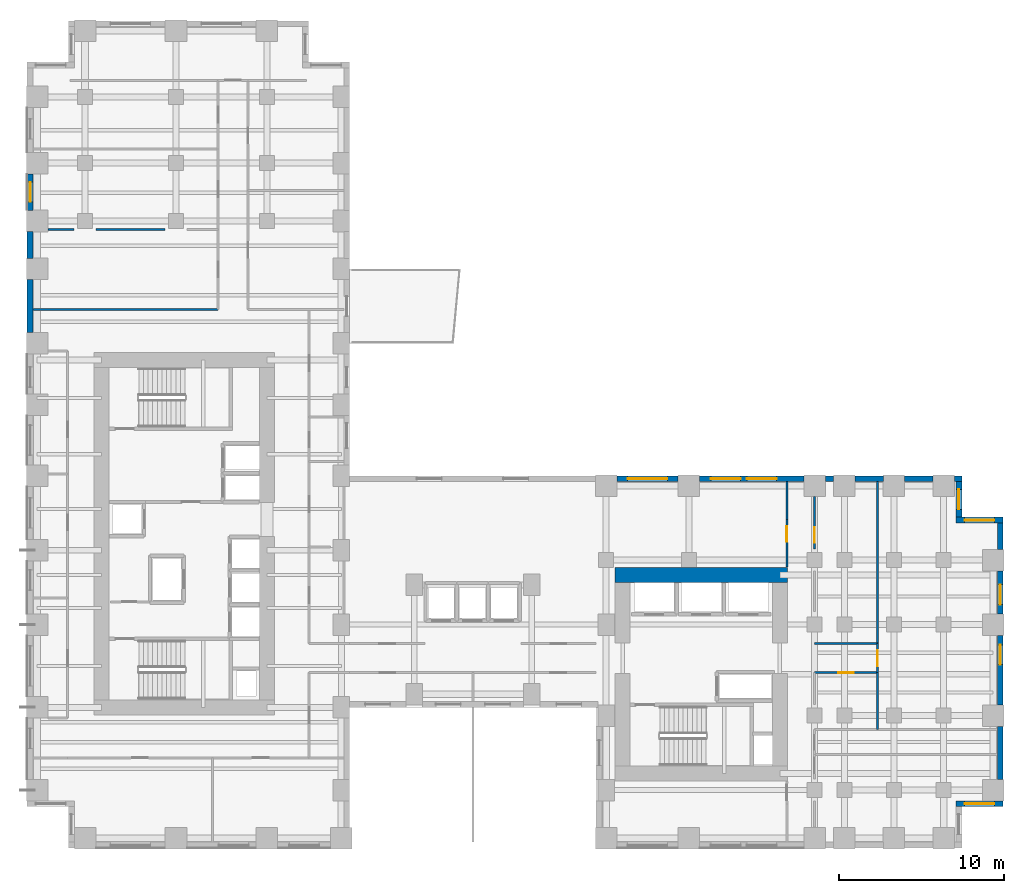
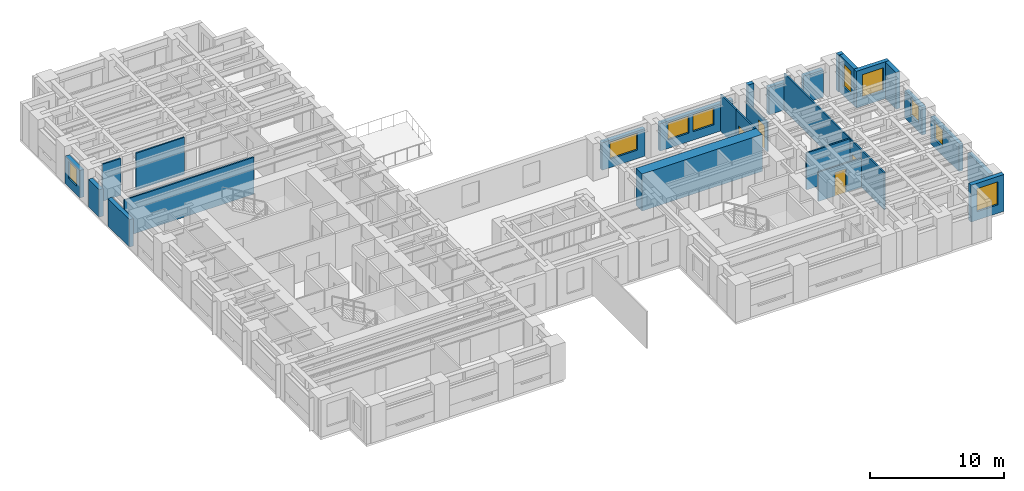
# One storey, part 8 of 12: 28 walls, 9 windows, 4 doors, 13 openings.
"""IFC4 building model written with IfcOpenShell, lengths in metres."""

from ifc_helpers import new_model, si_unit, direction, frame, frame_2d, origin, place, context, subcontext, project, spatial, rectangle, extrude, source, transform, mapped, material, layer, layer_set, type_object, element, fill, save


model = new_model("IFC4")

# Units and contexts
model_context = context("Model", 3, precision=1e-05, world=origin(), true_north=direction((0.0, 1.0)))
body_context = subcontext(model_context, "Body", "Model", "MODEL_VIEW")
ifc_project = project(units=[si_unit("LENGTHUNIT", "METRE"), si_unit("AREAUNIT", "SQUARE_METRE"), si_unit("VOLUMEUNIT", "CUBIC_METRE"), si_unit("PLANEANGLEUNIT", "RADIAN"), si_unit("MASSUNIT", "GRAM", prefix="KILO")], contexts=[model_context])

# Site, building, storey
site_placement = place(None, origin())
site = spatial("IfcSite", under=ifc_project, at=site_placement, CompositionType="ELEMENT")
building_placement = place(site_placement, origin())
building = spatial("IfcBuilding", under=site, at=building_placement, Name="Kharzan Plaza Tower", CompositionType="ELEMENT")
storey_placement = place(building_placement, frame((0.0, 0.0, 26.10009765625)))
storey = spatial("IfcBuildingStorey", under=building, at=storey_placement, Name="L06", CompositionType="ELEMENT", Elevation=26.10009765625)

# Wall, opening, window
ifc_material_1 = material(Name="Concrete C40/50", Category="concrete")
ifc_layer_1 = layer(ifc_material_1, 0.35009765625)
ifc_layer_set_1 = layer_set([ifc_layer_1], Name="Concrete C40/50")
wall_type_1 = type_object("IfcWallType", Name="WL-EXT-MAS-Z1", PredefinedType="SOLIDWALL", material=ifc_layer_set_1)
wall_1_placement = place(storey_placement, frame((0.175048828125, 40.751953125, 0.0), z_axis=(0.0, 0.0, 1.0), x_axis=(0.0, -1.0, 0.0)))
wall_1 = element("IfcWall", 1, at=wall_1_placement, inside=storey, type_object=wall_type_1, Name="L06 Masonry-Frame Exterior Wall 11", PredefinedType="SOLIDWALL", context=body_context, shape_type="SweptSolid", body=[
    extrude(rectangle(XDim=2.203857421875, YDim=0.35009765625, at=frame_2d((1.10205078125, 0.0))), origin(), (0.0, 0.0, 1.0), 2.510009765625),
])
opening_1_placement = place(wall_1_placement, frame((0.501953125, 0.0, 0.780029296875)))
opening_1 = element("IfcOpeningElement", 2, at=opening_1_placement, cuts=wall_1, Name="Opening W3", PredefinedType="OPENING", context=body_context, shape_type="SweptSolid", body=[
    extrude(rectangle(XDim=1.199951171875, YDim=1.550048828125, at=frame_2d((0.60009765625, 0.77490234375))), frame((0.0, 0.18505859375, 0.0), z_axis=(0.0, -1.0, 0.0), x_axis=(1.0, 0.0, 0.0)), (0.0, 0.0, 1.0), 0.3701171875),
])
ifc_material_2 = material(Name="Low-E Double Glazing", Category="glass")
window_type_1 = type_object("IfcWindowType", Name="WN-REC-1200x2100", PartitioningType="SINGLE_PANEL", PredefinedType="WINDOW", material=ifc_material_2)
shared_shape_1 = source(origin(), body_context, "Body", "SweptSolid", [
    extrude(rectangle(XDim=1.199951171875, YDim=1.550048828125, at=frame_2d((0.60009765625, 0.77490234375))), frame((0.0, 0.030029296875, 0.0), z_axis=(0.0, -1.0, 0.0), x_axis=(1.0, 0.0, 0.0)), (0.0, 0.0, 1.0), 0.06005859375),
])
window_1_placement = place(opening_1_placement, origin())
window_1 = element("IfcWindow", 3, at=window_1_placement, inside=storey, type_object=window_type_1, Name="L06 Recessed Solar-Control Window 11-1", OverallHeight=1.550048828125, OverallWidth=1.199951171875, PartitioningType="SINGLE_PANEL", PredefinedType="WINDOW", context=body_context, shape_type="MappedRepresentation", body=[
    mapped(shared_shape_1, transform((0.0, 0.0, 0.0), x_axis=(1.0, 0.0, 0.0), y_axis=(0.0, 1.0, 0.0), z_axis=(0.0, 0.0, 1.0))),
])
fill(opening_1, window_1)

wall_2_placement = place(storey_placement, frame((56.14990234375, 2.675048828125, 0.0), z_axis=(0.0, 0.0, 1.0), x_axis=(1.0, 0.0, 0.0)))
wall_2 = element("IfcWall", 4, at=wall_2_placement, inside=storey, type_object=wall_type_1, Name="L06 Masonry-Frame Exterior Wall 40", PredefinedType="SOLIDWALL", context=body_context, shape_type="SweptSolid", body=[
    extrude(rectangle(XDim=2.85009765625, YDim=0.35009765625, at=frame_2d((1.425048828125, 0.0))), origin(), (0.0, 0.0, 1.0), 3.364990234375),
])
opening_2_placement = place(wall_2_placement, frame((0.52490234375, 0.0, 0.780029296875)))
opening_2 = element("IfcOpeningElement", 5, at=opening_2_placement, cuts=wall_2, Name="Opening W1", PredefinedType="OPENING", context=body_context, shape_type="SweptSolid", body=[
    extrude(rectangle(XDim=1.800048828125, YDim=2.10009765625, at=frame_2d((0.89990234375, 1.050048828125))), frame((0.0, 0.18505859375, 0.0), z_axis=(0.0, -1.0, 0.0), x_axis=(1.0, 0.0, 0.0)), (0.0, 0.0, 1.0), 0.3701171875),
])
window_type_2 = type_object("IfcWindowType", Name="WN-REC-1800x2100", PartitioningType="SINGLE_PANEL", PredefinedType="WINDOW", material=ifc_material_2)
shared_shape_2 = source(origin(), body_context, "Body", "SweptSolid", [
    extrude(rectangle(XDim=1.800048828125, YDim=2.10009765625, at=frame_2d((0.89990234375, 1.050048828125))), frame((0.0, 0.030029296875, 0.0), z_axis=(0.0, -1.0, 0.0), x_axis=(1.0, 0.0, 0.0)), (0.0, 0.0, 1.0), 0.06005859375),
])
window_2_placement = place(opening_2_placement, origin())
window_2 = element("IfcWindow", 6, at=window_2_placement, inside=storey, type_object=window_type_2, Name="L06 Recessed Solar-Control Window 40-1", OverallHeight=2.10009765625, OverallWidth=1.800048828125, PartitioningType="SINGLE_PANEL", PredefinedType="WINDOW", context=body_context, shape_type="MappedRepresentation", body=[
    mapped(shared_shape_2, transform((0.0, 0.0, 0.0), x_axis=(1.0, 0.0, 0.0), y_axis=(0.0, 1.0, 0.0), z_axis=(0.0, 0.0, 1.0))),
])
fill(opening_2, window_2)

wall_3_placement = place(storey_placement, frame((58.824951171875, 8.64794921875, 0.0), z_axis=(0.0, 0.0, 1.0), x_axis=(0.0, 1.0, 0.0)))
wall_3 = element("IfcWall", 7, at=wall_3_placement, inside=storey, type_object=wall_type_1, Name="L06 Masonry-Frame Exterior Wall 42", PredefinedType="SOLIDWALL", context=body_context, shape_type="SweptSolid", body=[
    extrude(rectangle(XDim=4.2041015625, YDim=0.35009765625, at=frame_2d((2.10205078125, 0.0))), origin(), (0.0, 0.0, 1.0), 2.510009765625),
])
opening_3_placement = place(wall_3_placement, frame((2.436767578125, 0.0, 0.780029296875)))
opening_3 = element("IfcOpeningElement", 8, at=opening_3_placement, cuts=wall_3, Name="Opening W3", PredefinedType="OPENING", context=body_context, shape_type="SweptSolid", body=[
    extrude(rectangle(XDim=1.199951171875, YDim=1.550048828125, at=frame_2d((0.60009765625, 0.77490234375))), frame((0.0, 0.18505859375, 0.0), z_axis=(0.0, -1.0, 0.0), x_axis=(1.0, 0.0, 0.0)), (0.0, 0.0, 1.0), 0.3701171875),
])
window_3_placement = place(opening_3_placement, origin())
window_3 = element("IfcWindow", 9, at=window_3_placement, inside=storey, type_object=window_type_1, Name="L06 Recessed Solar-Control Window 42-1", OverallHeight=1.550048828125, OverallWidth=1.199951171875, PartitioningType="SINGLE_PANEL", PredefinedType="WINDOW", context=body_context, shape_type="MappedRepresentation", body=[
    mapped(shared_shape_1, transform((0.0, 0.0, 0.0), x_axis=(1.0, 0.0, 0.0), y_axis=(0.0, 1.0, 0.0), z_axis=(0.0, 0.0, 1.0))),
])
fill(opening_3, window_3)

wall_4_placement = place(storey_placement, frame((58.824951171875, 14.14794921875, 0.0), z_axis=(0.0, 0.0, 1.0), x_axis=(0.0, 1.0, 0.0)))
wall_4 = element("IfcWall", 10, at=wall_4_placement, inside=storey, type_object=wall_type_1, Name="L06 Masonry-Frame Exterior Wall 43", PredefinedType="SOLIDWALL", context=body_context, shape_type="SweptSolid", body=[
    extrude(rectangle(XDim=2.60400390625, YDim=0.35009765625, at=frame_2d((1.302001953125, 0.0))), origin(), (0.0, 0.0, 1.0), 2.510009765625),
])
opening_4_placement = place(wall_4_placement, frame((0.5673828125, 0.0, 0.780029296875)))
opening_4 = element("IfcOpeningElement", 11, at=opening_4_placement, cuts=wall_4, Name="Opening W3", PredefinedType="OPENING", context=body_context, shape_type="SweptSolid", body=[
    extrude(rectangle(XDim=1.199951171875, YDim=1.550048828125, at=frame_2d((0.60009765625, 0.77490234375))), frame((0.0, 0.18505859375, 0.0), z_axis=(0.0, -1.0, 0.0), x_axis=(1.0, 0.0, 0.0)), (0.0, 0.0, 1.0), 0.3701171875),
])
window_4_placement = place(opening_4_placement, origin())
window_4 = element("IfcWindow", 12, at=window_4_placement, inside=storey, type_object=window_type_1, Name="L06 Recessed Solar-Control Window 43-1", OverallHeight=1.550048828125, OverallWidth=1.199951171875, PartitioningType="SINGLE_PANEL", PredefinedType="WINDOW", context=body_context, shape_type="MappedRepresentation", body=[
    mapped(shared_shape_1, transform((0.0, 0.0, 0.0), x_axis=(1.0, 0.0, 0.0), y_axis=(0.0, 1.0, 0.0), z_axis=(0.0, 0.0, 1.0))),
])
fill(opening_4, window_4)

wall_5_placement = place(storey_placement, frame((59.0, 19.824951171875, 0.0), z_axis=(0.0, 0.0, 1.0), x_axis=(-1.0, 0.0, 0.0)))
wall_5 = element("IfcWall", 13, at=wall_5_placement, inside=storey, type_object=wall_type_1, Name="L06 Masonry-Frame Exterior Wall 45", PredefinedType="SOLIDWALL", context=body_context, shape_type="SweptSolid", body=[
    extrude(rectangle(XDim=2.85009765625, YDim=0.35009765625, at=frame_2d((1.425048828125, 0.0))), origin(), (0.0, 0.0, 1.0), 3.364990234375),
])
opening_5_placement = place(wall_5_placement, frame((0.52490234375, 0.0, 0.780029296875)))
opening_5 = element("IfcOpeningElement", 14, at=opening_5_placement, cuts=wall_5, Name="Opening W1", PredefinedType="OPENING", context=body_context, shape_type="SweptSolid", body=[
    extrude(rectangle(XDim=1.800048828125, YDim=2.10009765625, at=frame_2d((0.89990234375, 1.050048828125))), frame((0.0, 0.18505859375, 0.0), z_axis=(0.0, -1.0, 0.0), x_axis=(1.0, 0.0, 0.0)), (0.0, 0.0, 1.0), 0.3701171875),
])
window_5_placement = place(opening_5_placement, origin())
window_5 = element("IfcWindow", 15, at=window_5_placement, inside=storey, type_object=window_type_2, Name="L06 Recessed Solar-Control Window 45-1", OverallHeight=2.10009765625, OverallWidth=1.800048828125, PartitioningType="SINGLE_PANEL", PredefinedType="WINDOW", context=body_context, shape_type="MappedRepresentation", body=[
    mapped(shared_shape_2, transform((0.0, 0.0, 0.0), x_axis=(1.0, 0.0, 0.0), y_axis=(0.0, 1.0, 0.0), z_axis=(0.0, 0.0, 1.0))),
])
fill(opening_5, window_5)

wall_6_placement = place(storey_placement, frame((56.324951171875, 19.998046875, 0.0), z_axis=(0.0, 0.0, 1.0), x_axis=(0.0, 1.0, 0.0)))
wall_6 = element("IfcWall", 16, at=wall_6_placement, inside=storey, type_object=wall_type_1, Name="L06 Masonry-Frame Exterior Wall 46", PredefinedType="SOLIDWALL", context=body_context, shape_type="SweptSolid", body=[
    extrude(rectangle(XDim=2.154052734375, YDim=0.35009765625, at=frame_2d((1.0771484375, 0.0))), origin(), (0.0, 0.0, 1.0), 3.364990234375),
])
opening_6_placement = place(wall_6_placement, frame((0.47705078125, 0.0, 0.780029296875)))
opening_6 = element("IfcOpeningElement", 17, at=opening_6_placement, cuts=wall_6, Name="Opening W3", PredefinedType="OPENING", context=body_context, shape_type="SweptSolid", body=[
    extrude(rectangle(XDim=1.199951171875, YDim=2.10009765625, at=frame_2d((0.60009765625, 1.050048828125))), frame((0.0, 0.18505859375, 0.0), z_axis=(0.0, -1.0, 0.0), x_axis=(1.0, 0.0, 0.0)), (0.0, 0.0, 1.0), 0.3701171875),
])
shared_shape_3 = source(origin(), body_context, "Body", "SweptSolid", [
    extrude(rectangle(XDim=1.199951171875, YDim=2.10009765625, at=frame_2d((0.60009765625, 1.050048828125))), frame((0.0, 0.030029296875, 0.0), z_axis=(0.0, -1.0, 0.0), x_axis=(1.0, 0.0, 0.0)), (0.0, 0.0, 1.0), 0.06005859375),
])
window_6_placement = place(opening_6_placement, origin())
window_6 = element("IfcWindow", 18, at=window_6_placement, inside=storey, type_object=window_type_1, Name="L06 Recessed Solar-Control Window 46-1", OverallHeight=2.10009765625, OverallWidth=1.199951171875, PartitioningType="SINGLE_PANEL", PredefinedType="WINDOW", context=body_context, shape_type="MappedRepresentation", body=[
    mapped(shared_shape_3, transform((0.0, 0.0, 0.0), x_axis=(1.0, 0.0, 0.0), y_axis=(0.0, 1.0, 0.0), z_axis=(0.0, 0.0, 1.0))),
])
fill(opening_6, window_6)

# Wall, openings, windows
wall_7_placement = place(storey_placement, frame((46.951904296875, 22.324951171875, 0.0), z_axis=(0.0, 0.0, 1.0), x_axis=(-1.0, 0.0, 0.0)))
wall_7 = element("IfcWall", 19, at=wall_7_placement, inside=storey, type_object=wall_type_1, Name="L06 Masonry-Frame Exterior Wall 51", PredefinedType="SOLIDWALL", context=body_context, shape_type="SweptSolid", body=[
    extrude(rectangle(XDim=6.303955078125, YDim=0.35009765625, at=frame_2d((3.15185546875, 0.0))), origin(), (0.0, 0.0, 1.0), 2.510009765625),
])
opening_7_placement = place(wall_7_placement, frame((1.6494140625, 0.0, 0.780029296875)))
opening_7 = element("IfcOpeningElement", 20, at=opening_7_placement, cuts=wall_7, Name="Opening W1", PredefinedType="OPENING", context=body_context, shape_type="SweptSolid", body=[
    extrude(rectangle(XDim=1.800048828125, YDim=1.550048828125, at=frame_2d((0.89990234375, 0.77490234375))), frame((0.0, 0.18505859375, 0.0), z_axis=(0.0, -1.0, 0.0), x_axis=(1.0, 0.0, 0.0)), (0.0, 0.0, 1.0), 0.3701171875),
])
opening_8_placement = place(wall_7_placement, frame((3.816650390625, 0.0, 0.780029296875)))
opening_8 = element("IfcOpeningElement", 21, at=opening_8_placement, cuts=wall_7, Name="Opening W1", PredefinedType="OPENING", context=body_context, shape_type="SweptSolid", body=[
    extrude(rectangle(XDim=1.800048828125, YDim=1.550048828125, at=frame_2d((0.89990234375, 0.77490234375))), frame((0.0, 0.18505859375, 0.0), z_axis=(0.0, -1.0, 0.0), x_axis=(1.0, 0.0, 0.0)), (0.0, 0.0, 1.0), 0.3701171875),
])
shared_shape_4 = source(origin(), body_context, "Body", "SweptSolid", [
    extrude(rectangle(XDim=1.800048828125, YDim=1.550048828125, at=frame_2d((0.89990234375, 0.77490234375))), frame((0.0, 0.030029296875, 0.0), z_axis=(0.0, -1.0, 0.0), x_axis=(1.0, 0.0, 0.0)), (0.0, 0.0, 1.0), 0.06005859375),
])
window_7_placement = place(opening_7_placement, origin())
window_7 = element("IfcWindow", 22, at=window_7_placement, inside=storey, type_object=window_type_2, Name="L06 Recessed Solar-Control Window 51-1", OverallHeight=1.550048828125, OverallWidth=1.800048828125, PartitioningType="SINGLE_PANEL", PredefinedType="WINDOW", context=body_context, shape_type="MappedRepresentation", body=[
    mapped(shared_shape_4, transform((0.0, 0.0, 0.0), x_axis=(1.0, 0.0, 0.0), y_axis=(0.0, 1.0, 0.0), z_axis=(0.0, 0.0, 1.0))),
])
fill(opening_7, window_7)
window_8_placement = place(opening_8_placement, origin())
window_8 = element("IfcWindow", 23, at=window_8_placement, inside=storey, type_object=window_type_2, Name="L06 Recessed Solar-Control Window 51-2", OverallHeight=1.550048828125, OverallWidth=1.800048828125, PartitioningType="SINGLE_PANEL", PredefinedType="WINDOW", context=body_context, shape_type="MappedRepresentation", body=[
    mapped(shared_shape_4, transform((0.0, 0.0, 0.0), x_axis=(1.0, 0.0, 0.0), y_axis=(0.0, 1.0, 0.0), z_axis=(0.0, 0.0, 1.0))),
])
fill(opening_8, window_8)

# Wall, opening, window
wall_8_placement = place(storey_placement, frame((39.35205078125, 22.324951171875, 0.0), z_axis=(0.0, 0.0, 1.0), x_axis=(-1.0, 0.0, 0.0)))
wall_8 = element("IfcWall", 24, at=wall_8_placement, inside=storey, type_object=wall_type_1, Name="L06 Masonry-Frame Exterior Wall 52", PredefinedType="SOLIDWALL", context=body_context, shape_type="SweptSolid", body=[
    extrude(rectangle(XDim=3.7041015625, YDim=0.35009765625, at=frame_2d((1.85205078125, 0.0))), origin(), (0.0, 0.0, 1.0), 2.510009765625),
])
opening_9_placement = place(wall_8_placement, frame((0.652099609375, 0.0, 0.780029296875)))
opening_9 = element("IfcOpeningElement", 25, at=opening_9_placement, cuts=wall_8, Name="Opening W2", PredefinedType="OPENING", context=body_context, shape_type="SweptSolid", body=[
    extrude(rectangle(XDim=2.39990234375, YDim=1.550048828125, at=frame_2d((1.199951171875, 0.77490234375))), frame((0.0, 0.18505859375, 0.0), z_axis=(0.0, -1.0, 0.0), x_axis=(1.0, 0.0, 0.0)), (0.0, 0.0, 1.0), 0.3701171875),
])
window_type_3 = type_object("IfcWindowType", Name="WN-REC-2400x2100", PartitioningType="SINGLE_PANEL", PredefinedType="WINDOW", material=ifc_material_2)
shared_shape_5 = source(origin(), body_context, "Body", "SweptSolid", [
    extrude(rectangle(XDim=2.39990234375, YDim=1.550048828125, at=frame_2d((1.199951171875, 0.77490234375))), frame((0.0, 0.030029296875, 0.0), z_axis=(0.0, -1.0, 0.0), x_axis=(1.0, 0.0, 0.0)), (0.0, 0.0, 1.0), 0.06005859375),
])
window_9_placement = place(opening_9_placement, origin())
window_9 = element("IfcWindow", 26, at=window_9_placement, inside=storey, type_object=window_type_3, Name="L06 Wide Recessed Solar-Control Window 52-1", OverallHeight=1.550048828125, OverallWidth=2.39990234375, PartitioningType="SINGLE_PANEL", PredefinedType="WINDOW", context=body_context, shape_type="MappedRepresentation", body=[
    mapped(shared_shape_5, transform((0.0, 0.0, 0.0), x_axis=(1.0, 0.0, 0.0), y_axis=(0.0, 1.0, 0.0), z_axis=(0.0, 0.0, 1.0))),
])
fill(opening_9, window_9)

# Wall, opening, door
ifc_material_3 = material(Name="Fire-Rated Gypsum Board Partition", Category="gypsum")
ifc_layer_2 = layer(ifc_material_3, 0.125)
ifc_layer_set_2 = layer_set([ifc_layer_2], Name="Fire-Rated Gypsum Board Partition")
wall_type_2 = type_object("IfcWallType", Name="WL-INT-PART-125", PredefinedType="PARTITIONING", material=ifc_layer_set_2)
wall_9_placement = place(storey_placement, frame((51.39990234375, 10.60009765625, 0.0), z_axis=(0.0, 0.0, 1.0), x_axis=(0.0, 1.0, 0.0)))
wall_9 = element("IfcWall", 27, at=wall_9_placement, inside=storey, type_object=wall_type_2, Name="L06 Interior Partition SH-B2E2", PredefinedType="PARTITIONING", context=body_context, shape_type="SweptSolid", body=[
    extrude(rectangle(XDim=1.75, YDim=0.125, at=frame_2d((0.875, 0.0))), origin(), (0.0, 0.0, 1.0), 3.364990234375),
])
opening_10_placement = place(wall_9_placement, frame((0.39990234375, 0.0, 0.0)))
opening_10 = element("IfcOpeningElement", 28, at=opening_10_placement, cuts=wall_9, Name="Opening OD1", PredefinedType="OPENING", context=body_context, shape_type="SweptSolid", body=[
    extrude(rectangle(XDim=0.949951171875, YDim=2.14990234375, at=frame_2d((0.47509765625, 1.074951171875))), frame((0.0, 0.072509765625, 0.0), z_axis=(0.0, -1.0, 0.0), x_axis=(1.0, 0.0, 0.0)), (0.0, 0.0, 1.0), 0.14501953125),
])
ifc_material_4 = material(Name="Acoustic Solid-Core Stained Oak", Category="timber")
door_type = type_object("IfcDoorType", Name="DR-OFF-SINGLE", OperationType="NOTDEFINED", PredefinedType="DOOR", material=ifc_material_4)
shared_shape_6 = source(origin(), body_context, "Body", "SweptSolid", [
    extrude(rectangle(XDim=0.949951171875, YDim=2.14990234375, at=frame_2d((0.47509765625, 1.074951171875))), frame((0.0, 0.02490234375, 0.0), z_axis=(0.0, -1.0, 0.0), x_axis=(1.0, 0.0, 0.0)), (0.0, 0.0, 1.0), 0.050048828125),
])
door_1_placement = place(opening_10_placement, origin())
door_1 = element("IfcDoor", 29, at=door_1_placement, inside=storey, type_object=door_type, Name="L06 East Boardroom Door", OperationType="SINGLE_SWING_LEFT", OverallHeight=2.14990234375, OverallWidth=0.949951171875, PredefinedType="DOOR", context=body_context, shape_type="MappedRepresentation", body=[
    mapped(shared_shape_6, transform((0.0, 0.0, 0.0), x_axis=(1.0, 0.0, 0.0), y_axis=(0.0, 1.0, 0.0), z_axis=(0.0, 0.0, 1.0))),
])
fill(opening_10, door_1)

wall_10_placement = place(storey_placement, frame((47.60009765625, 10.60009765625, 0.0), z_axis=(0.0, 0.0, 1.0), x_axis=(1.0, 0.0, 0.0)))
wall_10 = element("IfcWall", 30, at=wall_10_placement, inside=storey, type_object=wall_type_2, Name="L06 Interior Partition SH-B2S1", PredefinedType="PARTITIONING", context=body_context, shape_type="SweptSolid", body=[
    extrude(rectangle(XDim=3.7998046875, YDim=0.125, at=frame_2d((1.89990234375, 0.0))), origin(), (0.0, 0.0, 1.0), 2.669921875),
])
opening_11_placement = place(wall_10_placement, frame((1.425048828125, 0.0, 0.0)))
opening_11 = element("IfcOpeningElement", 31, at=opening_11_placement, cuts=wall_10, Name="Opening OD1", PredefinedType="OPENING", context=body_context, shape_type="SweptSolid", body=[
    extrude(rectangle(XDim=0.949951171875, YDim=2.14990234375, at=frame_2d((0.47509765625, 1.074951171875))), frame((0.0, 0.072509765625, 0.0), z_axis=(0.0, -1.0, 0.0), x_axis=(1.0, 0.0, 0.0)), (0.0, 0.0, 1.0), 0.14501953125),
])
door_2_placement = place(opening_11_placement, origin())
door_2 = element("IfcDoor", 32, at=door_2_placement, inside=storey, type_object=door_type, Name="L06 Spur South Office Door", OperationType="SINGLE_SWING_RIGHT", OverallHeight=2.14990234375, OverallWidth=0.949951171875, PredefinedType="DOOR", context=body_context, shape_type="MappedRepresentation", body=[
    mapped(shared_shape_6, transform((0.0, 0.0, 0.0), x_axis=(1.0, 0.0, 0.0), y_axis=(0.0, 1.0, 0.0), z_axis=(0.0, 0.0, 1.0))),
])
fill(opening_11, door_2)

wall_11_placement = place(storey_placement, frame((47.60009765625, 18.06005859375, 0.0), z_axis=(0.0, 0.0, 1.0), x_axis=(0.0, 1.0, 0.0)))
wall_11 = element("IfcWall", 33, at=wall_11_placement, inside=storey, type_object=wall_type_2, Name="L06 Interior Partition SH-B2W3D-S2", PredefinedType="PARTITIONING", context=body_context, shape_type="SweptSolid", body=[
    extrude(rectangle(XDim=3.179931640625, YDim=0.125, at=frame_2d((1.58984375, 0.0))), origin(), (0.0, 0.0, 1.0), 2.669921875),
])
opening_12_placement = place(wall_11_placement, frame((0.3876953125, 0.0, 0.0)))
opening_12 = element("IfcOpeningElement", 34, at=opening_12_placement, cuts=wall_11, Name="Opening OD1", PredefinedType="OPENING", context=body_context, shape_type="SweptSolid", body=[
    extrude(rectangle(XDim=0.949951171875, YDim=2.14990234375, at=frame_2d((0.47509765625, 1.074951171875))), frame((0.0, 0.072509765625, 0.0), z_axis=(0.0, -1.0, 0.0), x_axis=(1.0, 0.0, 0.0)), (0.0, 0.0, 1.0), 0.14501953125),
])
door_3_placement = place(opening_12_placement, origin())
door_3 = element("IfcDoor", 35, at=door_3_placement, inside=storey, type_object=door_type, Name="L06 Spur North Office Door", OperationType="SINGLE_SWING_RIGHT", OverallHeight=2.14990234375, OverallWidth=0.949951171875, PredefinedType="DOOR", context=body_context, shape_type="MappedRepresentation", body=[
    mapped(shared_shape_6, transform((0.0, 0.0, 0.0), x_axis=(1.0, 0.0, 0.0), y_axis=(0.0, 1.0, 0.0), z_axis=(0.0, 0.0, 1.0))),
])
fill(opening_12, door_3)

wall_12_placement = place(storey_placement, frame((45.919921875, 16.97998046875, 0.0), z_axis=(0.0, 0.0, 1.0), x_axis=(0.0, 1.0, 0.0)))
wall_12 = element("IfcWall", 36, at=wall_12_placement, inside=storey, type_object=wall_type_2, Name="L06 Interior Partition SH-RBNE", PredefinedType="PARTITIONING", context=body_context, shape_type="SweptSolid", body=[
    extrude(rectangle(XDim=2.8701171875, YDim=0.125, at=frame_2d((1.43505859375, 0.0))), origin(), (0.0, 0.0, 1.0), 3.364990234375),
])
opening_13_placement = place(wall_12_placement, frame((1.51708984375, 0.0, 0.0)))
opening_13 = element("IfcOpeningElement", 37, at=opening_13_placement, cuts=wall_12, Name="Opening OD1", PredefinedType="OPENING", context=body_context, shape_type="SweptSolid", body=[
    extrude(rectangle(XDim=0.949951171875, YDim=2.14990234375, at=frame_2d((0.47509765625, 1.074951171875))), frame((0.0, 0.072509765625, 0.0), z_axis=(0.0, -1.0, 0.0), x_axis=(1.0, 0.0, 0.0)), (0.0, 0.0, 1.0), 0.14501953125),
])
door_4_placement = place(opening_13_placement, origin())
door_4 = element("IfcDoor", 38, at=door_4_placement, inside=storey, type_object=door_type, Name="L06 Wing B North Studio Door", OperationType="SINGLE_SWING_LEFT", OverallHeight=2.14990234375, OverallWidth=0.949951171875, PredefinedType="DOOR", context=body_context, shape_type="MappedRepresentation", body=[
    mapped(shared_shape_6, transform((0.0, 0.0, 0.0), x_axis=(1.0, 0.0, 0.0), y_axis=(0.0, 1.0, 0.0), z_axis=(0.0, 0.0, 1.0))),
])
fill(opening_13, door_4)

# Walls
ifc_material_5 = material(Name="Concrete C60/75", Category="concrete")
ifc_layer_3 = layer(ifc_material_5, 0.89990234375)
ifc_layer_set_3 = layer_set([ifc_layer_3], Name="Concrete C60/75")
wall_type_3 = type_object("IfcWallType", Name="WL-CORE-900", PredefinedType="SHEAR", material=ifc_layer_set_3)
shared_shape_7 = source(origin(), body_context, "Body", "SweptSolid", [
    extrude(rectangle(XDim=10.39990234375, YDim=0.89990234375, at=frame_2d((5.199951171875, 0.0))), origin(), (0.0, 0.0, 1.0), 3.3798828125),
])
wall_13_placement = place(storey_placement, frame((35.550048828125, 16.5, 0.0), z_axis=(0.0, 0.0, 1.0), x_axis=(1.0, 0.0, 0.0)))
element("IfcWall", 39, at=wall_13_placement, inside=storey, type_object=wall_type_3, Name="L06 CORE-B north RC shear wall", PredefinedType="SHEAR", context=body_context, shape_type="MappedRepresentation", body=[
    mapped(shared_shape_7, transform((0.0, 0.0, 0.0), x_axis=(1.0, 0.0, 0.0), y_axis=(0.0, 1.0, 0.0), z_axis=(0.0, 0.0, 1.0))),
])
shared_shape_8 = source(origin(), body_context, "Body", "SweptSolid", [
    extrude(rectangle(XDim=1.60400390625, YDim=0.35009765625, at=frame_2d((0.802001953125, 0.0))), origin(), (0.0, 0.0, 1.0), 2.510009765625),
])
wall_14_placement = place(storey_placement, frame((0.175048828125, 37.251953125, 0.0), z_axis=(0.0, 0.0, 1.0), x_axis=(0.0, -1.0, 0.0)))
element("IfcWall", 40, at=wall_14_placement, inside=storey, type_object=wall_type_1, Name="L06 Masonry-Frame Exterior Wall 12", PredefinedType="SOLIDWALL", context=body_context, shape_type="MappedRepresentation", body=[
    mapped(shared_shape_8, transform((0.0, 0.0, 0.0), x_axis=(1.0, 0.0, 0.0), y_axis=(0.0, 1.0, 0.0), z_axis=(0.0, 0.0, 1.0))),
])
shared_shape_9 = source(origin(), body_context, "Body", "SweptSolid", [
    extrude(rectangle(XDim=0.50390625, YDim=0.35009765625, at=frame_2d((0.251953125, 0.0))), origin(), (0.0, 0.0, 1.0), 3.364990234375),
])
wall_15_placement = place(storey_placement, frame((48.751953125, 22.324951171875, 0.0), z_axis=(0.0, 0.0, 1.0), x_axis=(-1.0, 0.0, 0.0)))
element("IfcWall", 41, at=wall_15_placement, inside=storey, type_object=wall_type_1, Name="L06 Masonry-Frame Exterior Wall 50", PredefinedType="SOLIDWALL", context=body_context, shape_type="MappedRepresentation", body=[
    mapped(shared_shape_9, transform((0.0, 0.0, 0.0), x_axis=(1.0, 0.0, 0.0), y_axis=(0.0, 1.0, 0.0), z_axis=(0.0, 0.0, 1.0))),
])
shared_shape_10 = source(origin(), body_context, "Body", "SweptSolid", [
    extrude(rectangle(XDim=1.703857421875, YDim=0.35009765625, at=frame_2d((0.85205078125, 0.0))), origin(), (0.0, 0.0, 1.0), 2.510009765625),
])
for number, where, z_axis, x_axis, name in (
    (42, (54.751953125, 22.324951171875, 0.0), (0.0, 0.0, 1.0), (-1.0, 0.0, 0.0), "L06 Masonry-Frame Exterior Wall 48"),
    (43, (51.751953125, 22.324951171875, 0.0), (0.0, 0.0, 1.0), (-1.0, 0.0, 0.0), "L06 Masonry-Frame Exterior Wall 49"),
):
    element("IfcWall", number, at=place(storey_placement, frame(where, z_axis=z_axis, x_axis=x_axis)), inside=storey, type_object=wall_type_1, Name=name, PredefinedType="SOLIDWALL", context=body_context, shape_type="MappedRepresentation", body=[
        mapped(shared_shape_10, transform((0.0, 0.0, 0.0), x_axis=(1.0, 0.0, 0.0), y_axis=(0.0, 1.0, 0.0), z_axis=(0.0, 0.0, 1.0))),
    ])
shared_shape_11 = source(origin(), body_context, "Body", "SweptSolid", [
    extrude(rectangle(XDim=0.451904296875, YDim=0.35009765625, at=frame_2d((0.22607421875, 0.0))), origin(), (0.0, 0.0, 1.0), 3.364990234375),
])
wall_16_placement = place(storey_placement, frame((56.5, 22.324951171875, 0.0), z_axis=(0.0, 0.0, 1.0), x_axis=(-1.0, 0.0, 0.0)))
element("IfcWall", 44, at=wall_16_placement, inside=storey, type_object=wall_type_1, Name="L06 Masonry-Frame Exterior Wall 47", PredefinedType="SOLIDWALL", context=body_context, shape_type="MappedRepresentation", body=[
    mapped(shared_shape_11, transform((0.0, 0.0, 0.0), x_axis=(1.0, 0.0, 0.0), y_axis=(0.0, 1.0, 0.0), z_axis=(0.0, 0.0, 1.0))),
])
shared_shape_12 = source(origin(), body_context, "Body", "SweptSolid", [
    extrude(rectangle(XDim=3.2041015625, YDim=0.35009765625, at=frame_2d((1.60205078125, 0.0))), origin(), (0.0, 0.0, 1.0), 2.510009765625),
])
for number, where, z_axis, x_axis, name in (
    (45, (0.175048828125, 34.35205078125, 0.0), (0.0, 0.0, 1.0), (0.0, -1.0, 0.0), "L06 Masonry-Frame Exterior Wall 13"),
    (46, (58.824951171875, 4.14794921875, 0.0), (0.0, 0.0, 1.0), (0.0, 1.0, 0.0), "L06 Masonry-Frame Exterior Wall 41"),
):
    element("IfcWall", number, at=place(storey_placement, frame(where, z_axis=z_axis, x_axis=x_axis)), inside=storey, type_object=wall_type_1, Name=name, PredefinedType="SOLIDWALL", context=body_context, shape_type="MappedRepresentation", body=[
        mapped(shared_shape_12, transform((0.0, 0.0, 0.0), x_axis=(1.0, 0.0, 0.0), y_axis=(0.0, 1.0, 0.0), z_axis=(0.0, 0.0, 1.0))),
    ])
shared_shape_13 = source(origin(), body_context, "Body", "SweptSolid", [
    extrude(rectangle(XDim=1.60400390625, YDim=0.35009765625, at=frame_2d((0.802001953125, 0.0))), origin(), (0.0, 0.0, 1.0), 3.364990234375),
])
wall_17_placement = place(storey_placement, frame((58.824951171875, 18.048095703125, 0.0), z_axis=(0.0, 0.0, 1.0), x_axis=(0.0, 1.0, 0.0)))
element("IfcWall", 47, at=wall_17_placement, inside=storey, type_object=wall_type_1, Name="L06 Masonry-Frame Exterior Wall 44", PredefinedType="SOLIDWALL", context=body_context, shape_type="MappedRepresentation", body=[
    mapped(shared_shape_13, transform((0.0, 0.0, 0.0), x_axis=(1.0, 0.0, 0.0), y_axis=(0.0, 1.0, 0.0), z_axis=(0.0, 0.0, 1.0))),
])
shared_shape_14 = source(origin(), body_context, "Body", "SweptSolid", [
    extrude(rectangle(XDim=1.580078125, YDim=0.125, at=frame_2d((0.7900390625, 0.0))), origin(), (0.0, 0.0, 1.0), 3.364990234375),
])
wall_18_placement = place(storey_placement, frame((1.260009765625, 37.39697265625, 0.0), z_axis=(0.0, 0.0, 1.0), x_axis=(1.0, 0.0, 0.0)))
element("IfcWall", 48, at=wall_18_placement, inside=storey, type_object=wall_type_2, Name="L06 Interior Partition SH-NWH-1-S1", PredefinedType="PARTITIONING", context=body_context, shape_type="MappedRepresentation", body=[
    mapped(shared_shape_14, transform((0.0, 0.0, 0.0), x_axis=(1.0, 0.0, 0.0), y_axis=(0.0, 1.0, 0.0), z_axis=(0.0, 0.0, 1.0))),
])
shared_shape_15 = source(origin(), body_context, "Body", "SweptSolid", [
    extrude(rectangle(XDim=2.2978515625, YDim=0.125, at=frame_2d((1.14892578125, 0.0))), origin(), (0.0, 0.0, 1.0), 3.364990234375),
])
wall_19_placement = place(storey_placement, frame((45.919921875, 19.85009765625, 0.0), z_axis=(0.0, 0.0, 1.0), x_axis=(0.0, 1.0, 0.0)))
element("IfcWall", 49, at=wall_19_placement, inside=storey, type_object=wall_type_2, Name="L06 Interior Partition SH-RBNE0", PredefinedType="PARTITIONING", context=body_context, shape_type="MappedRepresentation", body=[
    mapped(shared_shape_15, transform((0.0, 0.0, 0.0), x_axis=(1.0, 0.0, 0.0), y_axis=(0.0, 1.0, 0.0), z_axis=(0.0, 0.0, 1.0))),
])
shared_shape_16 = source(origin(), body_context, "Body", "SweptSolid", [
    extrude(rectangle(XDim=3.7998046875, YDim=0.125, at=frame_2d((1.89990234375, 0.0))), origin(), (0.0, 0.0, 1.0), 3.364990234375),
])
wall_20_placement = place(storey_placement, frame((47.60009765625, 12.35009765625, 0.0), z_axis=(0.0, 0.0, 1.0), x_axis=(1.0, 0.0, 0.0)))
element("IfcWall", 50, at=wall_20_placement, inside=storey, type_object=wall_type_2, Name="L06 Interior Partition SH-B2N3", PredefinedType="PARTITIONING", context=body_context, shape_type="MappedRepresentation", body=[
    mapped(shared_shape_16, transform((0.0, 0.0, 0.0), x_axis=(1.0, 0.0, 0.0), y_axis=(0.0, 1.0, 0.0), z_axis=(0.0, 0.0, 1.0))),
])
shared_shape_17 = source(origin(), body_context, "Body", "SweptSolid", [
    extrude(rectangle(XDim=3.4501953125, YDim=0.125, at=frame_2d((1.72509765625, 0.0))), origin(), (0.0, 0.0, 1.0), 3.364990234375),
])
wall_21_placement = place(storey_placement, frame((51.39990234375, 7.14990234375, 0.0), z_axis=(0.0, 0.0, 1.0), x_axis=(0.0, 1.0, 0.0)))
element("IfcWall", 51, at=wall_21_placement, inside=storey, type_object=wall_type_2, Name="L06 Interior Partition SH-B2V1", PredefinedType="PARTITIONING", context=body_context, shape_type="MappedRepresentation", body=[
    mapped(shared_shape_17, transform((0.0, 0.0, 0.0), x_axis=(1.0, 0.0, 0.0), y_axis=(0.0, 1.0, 0.0), z_axis=(0.0, 0.0, 1.0))),
])
shared_shape_18 = source(origin(), body_context, "Body", "SweptSolid", [
    extrude(rectangle(XDim=9.789794921875, YDim=0.125, at=frame_2d((4.89501953125, 0.0))), origin(), (0.0, 0.0, 1.0), 3.364990234375),
])
wall_22_placement = place(storey_placement, frame((51.39990234375, 12.35009765625, 0.0), z_axis=(0.0, 0.0, 1.0), x_axis=(0.0, 1.0, 0.0)))
element("IfcWall", 52, at=wall_22_placement, inside=storey, type_object=wall_type_2, Name="L06 Interior Partition SH-B2V2", PredefinedType="PARTITIONING", context=body_context, shape_type="MappedRepresentation", body=[
    mapped(shared_shape_18, transform((0.0, 0.0, 0.0), x_axis=(1.0, 0.0, 0.0), y_axis=(0.0, 1.0, 0.0), z_axis=(0.0, 0.0, 1.0))),
])
shared_shape_19 = source(origin(), body_context, "Body", "SweptSolid", [
    extrude(rectangle(XDim=11.197998046875, YDim=0.125, at=frame_2d((5.59912109375, 0.0))), origin(), (0.0, 0.0, 1.0), 3.364990234375),
])
wall_23_placement = place(storey_placement, frame((0.35205078125, 32.550048828125, 0.0), z_axis=(0.0, 0.0, 1.0), x_axis=(1.0, 0.0, 0.0)))
element("IfcWall", 53, at=wall_23_placement, inside=storey, type_object=wall_type_2, Name="L06 Interior Partition SH-NNW", PredefinedType="PARTITIONING", context=body_context, shape_type="MappedRepresentation", body=[
    mapped(shared_shape_19, transform((0.0, 0.0, 0.0), x_axis=(1.0, 0.0, 0.0), y_axis=(0.0, 1.0, 0.0), z_axis=(0.0, 0.0, 1.0))),
])
shared_shape_20 = source(origin(), body_context, "Body", "SweptSolid", [
    extrude(rectangle(XDim=4.18017578125, YDim=0.125, at=frame_2d((2.090087890625, 0.0))), origin(), (0.0, 0.0, 1.0), 3.364990234375),
])
wall_24_placement = place(storey_placement, frame((4.159912109375, 37.39697265625, 0.0), z_axis=(0.0, 0.0, 1.0), x_axis=(1.0, 0.0, 0.0)))
element("IfcWall", 54, at=wall_24_placement, inside=storey, type_object=wall_type_2, Name="L06 Interior Partition SH-NWH-1-S2", PredefinedType="PARTITIONING", context=body_context, shape_type="MappedRepresentation", body=[
    mapped(shared_shape_20, transform((0.0, 0.0, 0.0), x_axis=(1.0, 0.0, 0.0), y_axis=(0.0, 1.0, 0.0), z_axis=(0.0, 0.0, 1.0))),
])

save(model, "model.ifc")
